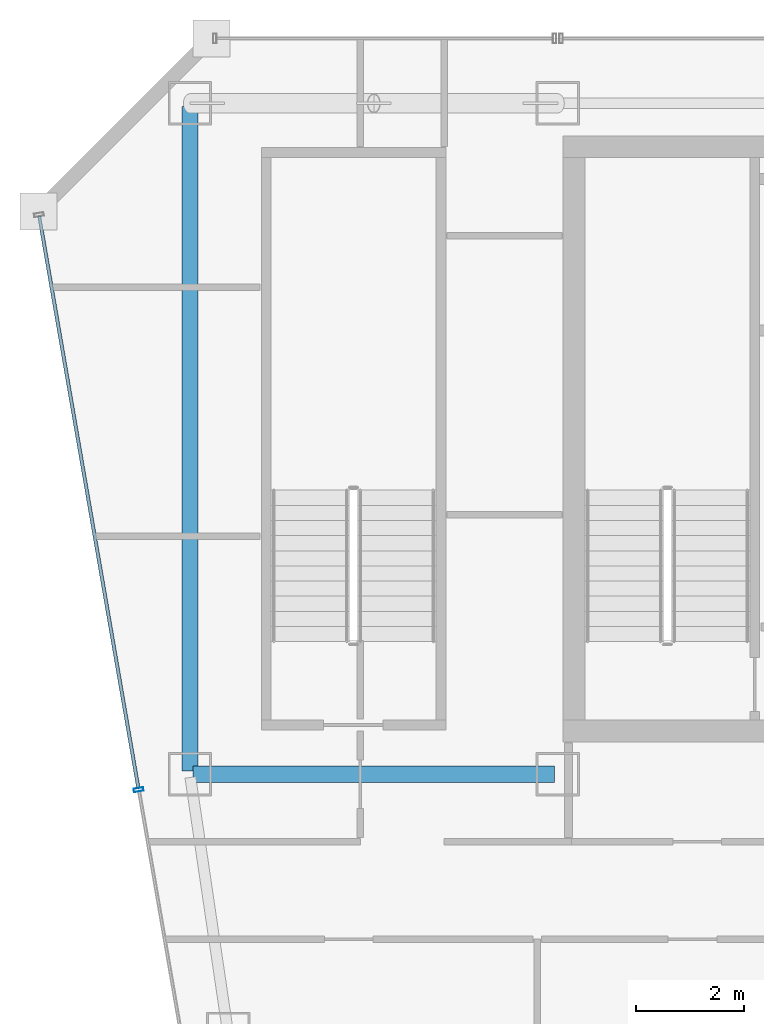
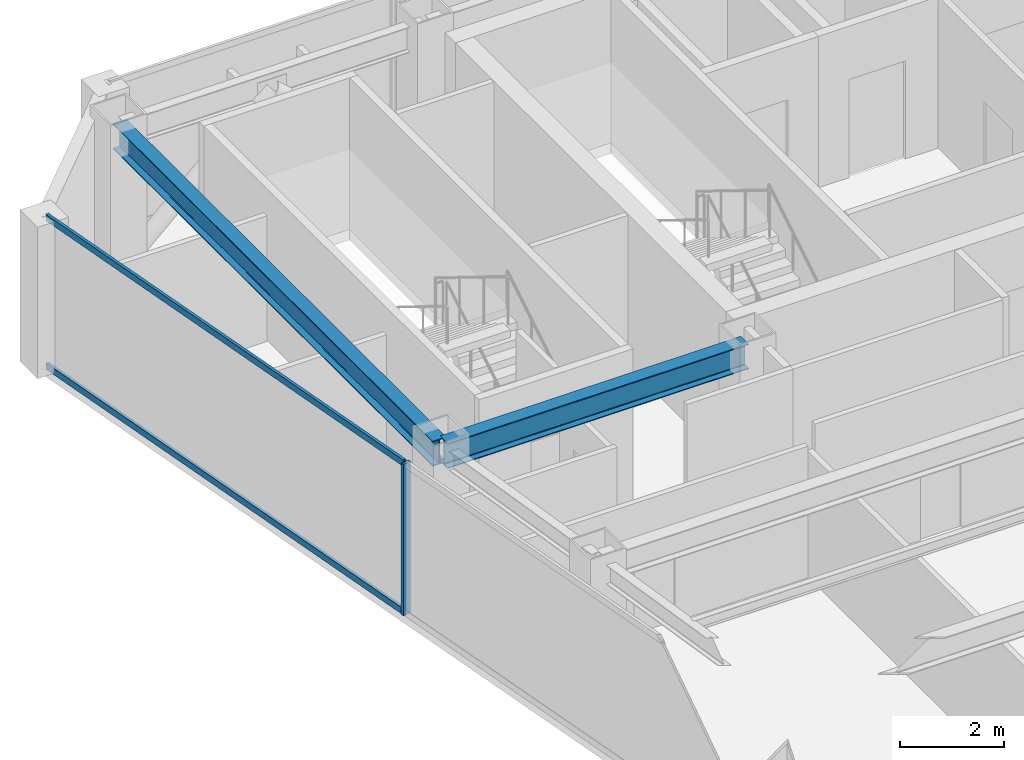
# One storey, part 8 of 32: 3 members, 2 beams, 1 element without a shape of its own.
"""IFC4 building model written with IfcOpenShell, lengths in metres."""

from ifc_helpers import new_model, si_unit, direction, frame, origin, origin_2d, place, context, subcontext, project, spatial, hollow_rectangle, i_section, extrude, material, material_profile, profile_set, type_object, element, aggregate, save


model = new_model("IFC4")

# Units and contexts
model_context = context("Model", 3, precision=1e-05, world=origin(), true_north=direction((0.0, 1.0)))
body_context = subcontext(model_context, "Body", "Model", "MODEL_VIEW")
ifc_project = project(units=[si_unit("LENGTHUNIT", "METRE"), si_unit("AREAUNIT", "SQUARE_METRE"), si_unit("VOLUMEUNIT", "CUBIC_METRE"), si_unit("PLANEANGLEUNIT", "RADIAN"), si_unit("MASSUNIT", "GRAM", prefix="KILO")], contexts=[model_context])

# Site, building, storey
site_placement = place(None, origin())
site = spatial("IfcSite", under=ifc_project, at=site_placement, CompositionType="ELEMENT")
building_placement = place(site_placement, origin())
building = spatial("IfcBuilding", under=site, at=building_placement, Name="Saevonmaru Cultural Tower", CompositionType="ELEMENT")
storey_placement = place(building_placement, frame((0.0, 0.0, 242.0)))
storey = spatial("IfcBuildingStorey", under=building, at=storey_placement, Name="L56", CompositionType="ELEMENT", Elevation=242.0)

# Beams
ifc_material_1 = material(Name="Steel SM355", Category="steel")
ifc_material_profile_1 = material_profile(ifc_material_1, i_section(OverallWidth=0.300048828125, OverallDepth=0.587890625, WebThickness=0.011962890625, FlangeThickness=0.02001953125, FilletRadius=0.02392578125, at=origin_2d()), Name="H-588x300x12x20")
ifc_profile_set_1 = profile_set([ifc_material_profile_1], Name="Steel SM355")
beam_type = type_object("IfcBeamType", Name="BM-G-H588", PredefinedType="BEAM", material=ifc_profile_set_1)
beam_1_placement = place(storey_placement, frame((6.860107421875, 42.39990234375, 3.256103515625), z_axis=(1.0, 0.0, 0.0), x_axis=(0.0, 1.0, 0.0)))
element("IfcBeam", 1, at=beam_1_placement, inside=storey, type_object=beam_type, Name="L56 Core South Girder 1", PredefinedType="BEAM", context=body_context, shape_type="SweptSolid", body=[
    extrude(i_section(OverallWidth=0.300048828125, OverallDepth=0.587890625, WebThickness=0.011962890625, FlangeThickness=0.02001953125, FilletRadius=0.02392578125, at=origin_2d()), origin(), (0.0, 0.0, 1.0), 6.679931640625),
])
beam_2_placement = place(storey_placement, frame((6.800048828125, 54.739990234375, 3.256103515625), z_axis=(0.0, -1.0, 0.0), x_axis=(1.0, 0.0, 0.0)))
element("IfcBeam", 2, at=beam_2_placement, inside=storey, type_object=beam_type, Name="L56 Spine Transverse Girder W", PredefinedType="BEAM", context=body_context, shape_type="SweptSolid", body=[
    extrude(i_section(OverallWidth=0.300048828125, OverallDepth=0.587890625, WebThickness=0.011962890625, FlangeThickness=0.02001953125, FilletRadius=0.02392578125, at=origin_2d()), origin(), (0.0, 0.0, 1.0), 12.280029296875),
])

# Curtain wall, members
ifc_material_2 = material(Name="Satin Bronze Anodised Aluminium", Category="aluminium")
curtain_wall_type = type_object("IfcCurtainWallType", Name="CW-TYP-B", PredefinedType="NOTDEFINED", material=ifc_material_2)
curtain_wall_placement = place(storey_placement, origin())
curtain_wall = element("IfcCurtainWall", 3, at=curtain_wall_placement, inside=storey, type_object=curtain_wall_type, Name="L56 Unitised Curtain Wall E12", PredefinedType="NOTDEFINED")
ifc_material_profile_2 = material_profile(ifc_material_2, hollow_rectangle(XDim=0.06494140625, YDim=0.179931640625, WallThickness=0.00390625, at=origin_2d()), Name="ALU-MULL-180x65x4")
ifc_profile_set_2 = profile_set([ifc_material_profile_2], Name="Satin Bronze Anodised Aluminium")
member_type_1 = type_object("IfcMemberType", Name="ML-CW-180x65", PredefinedType="MULLION", material=ifc_profile_set_2)
member_1_placement = place(storey_placement, frame((5.852294921875, 42.113525390625, 0.0), z_axis=(0.0, 0.0, 1.0), x_axis=(0.170790369887, -0.985307388359, 0.0)))
member_1 = element("IfcMember", 4, at=member_1_placement, type_object=member_type_1, Name="CW-TW-L56-E12 mullion 2", PredefinedType="MULLION", context=body_context, shape_type="SweptSolid", body=[
    extrude(hollow_rectangle(XDim=0.06494140625, YDim=0.179931640625, WallThickness=0.00390625, at=origin_2d()), origin(), (0.0, 0.0, 1.0), 3.550048828125),
])
ifc_material_profile_3 = material_profile(ifc_material_2, hollow_rectangle(XDim=0.06494140625, YDim=0.14990234375, WallThickness=0.00390625, at=origin_2d()), Name="ALU-TRAN-150x65x4")
ifc_profile_set_3 = profile_set([ifc_material_profile_3], Name="Satin Bronze Anodised Aluminium")
member_type_2 = type_object("IfcMemberType", Name="TR-CW-150x65", PredefinedType="USERDEFINED", material=ifc_profile_set_3)
member_2_placement = place(storey_placement, frame((4.015869140625, 52.708984375, 0.032470703125), z_axis=(0.170773163608, -0.985310370691, 0.0), x_axis=(0.985310370691, 0.170773163608, 0.0)))
member_2 = element("IfcMember", 5, at=member_2_placement, type_object=member_type_2, Name="CW-TW-L56-E12 transom 1.1", ObjectType="TRANSOM", PredefinedType="USERDEFINED", context=body_context, shape_type="SweptSolid", body=[
    extrude(hollow_rectangle(XDim=0.06494140625, YDim=0.14990234375, WallThickness=0.00390625, at=origin_2d()), origin(), (0.0, 0.0, 1.0), 10.720703125),
])
member_3_placement = place(storey_placement, frame((4.015869140625, 52.708984375, 3.517578125), z_axis=(0.170773163608, -0.985310370691, 0.0), x_axis=(0.985310370691, 0.170773163608, 0.0)))
member_3 = element("IfcMember", 6, at=member_3_placement, type_object=member_type_2, Name="CW-TW-L56-E12 transom 1.2", ObjectType="TRANSOM", PredefinedType="USERDEFINED", context=body_context, shape_type="SweptSolid", body=[
    extrude(hollow_rectangle(XDim=0.06494140625, YDim=0.14990234375, WallThickness=0.00390625, at=origin_2d()), origin(), (0.0, 0.0, 1.0), 10.720703125),
])
aggregate(curtain_wall, [member_1, member_2, member_3])

save(model, "model.ifc")
